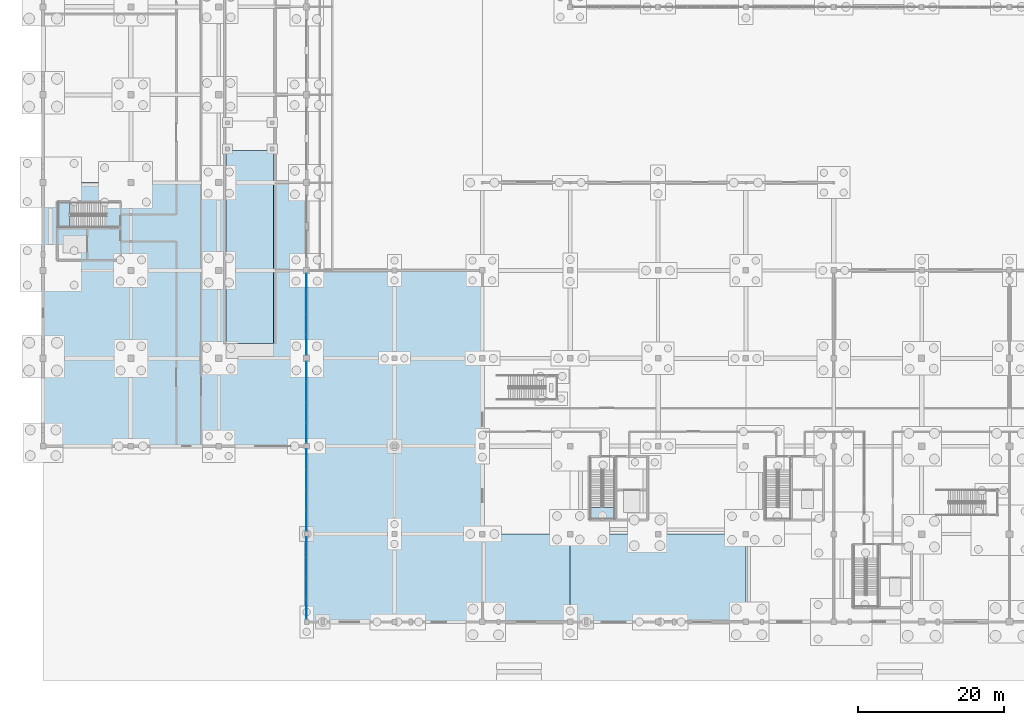
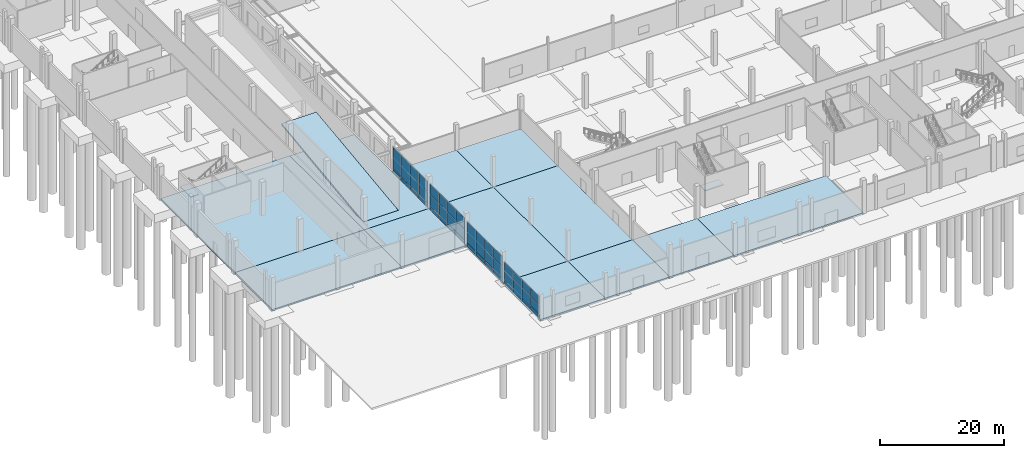
# One storey, part 62 of 117: 48 plates, 15 slabs, 7 elements without a shape of their own.
"""IFC4 building model written with IfcOpenShell, lengths in metres."""

from ifc_helpers import new_model, si_unit, direction, frame, origin, origin_2d, place, context, subcontext, project, spatial, polyline, rectangle, outline, extrude, material, layer, layer_set, type_object, element, aggregate, save


model = new_model("IFC4")

# Units and contexts
model_context = context("Model", 3, precision=1e-05, world=origin(), true_north=direction((0.0, 1.0)))
body_context = subcontext(model_context, "Body", "Model", "MODEL_VIEW")
ifc_project = project(units=[si_unit("LENGTHUNIT", "METRE"), si_unit("AREAUNIT", "SQUARE_METRE"), si_unit("VOLUMEUNIT", "CUBIC_METRE"), si_unit("PLANEANGLEUNIT", "RADIAN"), si_unit("MASSUNIT", "GRAM", prefix="KILO")], contexts=[model_context])

# Site, building, storey
site_placement = place(None, origin())
site = spatial("IfcSite", under=ifc_project, at=site_placement, CompositionType="ELEMENT")
building_placement = place(site_placement, origin())
building = spatial("IfcBuilding", under=site, at=building_placement, Name="Kamomehara Wholesale Market", CompositionType="ELEMENT")
storey_placement = place(building_placement, origin())
storey = spatial("IfcBuildingStorey", under=building, at=storey_placement, Name="L00", CompositionType="ELEMENT", Elevation=0.0)

# Curtain wall, plates
ifc_material_1 = material(Name="Anodised aluminium 6063-T5", Category="aluminium")
curtain_wall_type = type_object("IfcCurtainWallType", Name="CW-UN-04", PredefinedType="NOTDEFINED", material=ifc_material_1)
curtain_wall_1_placement = place(storey_placement, origin())
curtain_wall_1 = element("IfcCurtainWall", 1, at=curtain_wall_1_placement, inside=storey, type_object=curtain_wall_type, Name="Unitised curtain wall CW-117", PredefinedType="NOTDEFINED")
ifc_material_2 = material(Name="Solar-control Low-E double glazing", Category="glass")
ifc_layer_1 = layer(ifc_material_2, 0.028076171875)
ifc_layer_set_1 = layer_set([ifc_layer_1], Name="Solar-control Low-E double glazing")
plate_type_1 = type_object("IfcPlateType", Name="CW-PNL-GLZ", PredefinedType="CURTAIN_PANEL", material=ifc_layer_set_1)
plate_1_placement = place(storey_placement, frame((35.97998046875, 13.800048828125, 0.830078125), z_axis=(0.0, 0.0, 1.0), x_axis=(0.0, 1.0, 0.0)))
plate_1 = element("IfcPlate", 2, at=plate_1_placement, type_object=plate_type_1, Name="Curtain panel CW-117.0.1", PredefinedType="CURTAIN_PANEL", context=body_context, shape_type="SweptSolid", body=[
    extrude(rectangle(XDim=2.719970703125, YDim=0.028076171875, at=origin_2d()), origin(), (0.0, 0.0, 1.0), 1.7080078125),
])
plate_2_placement = place(storey_placement, frame((35.97998046875, 13.800048828125, 2.597900390625), z_axis=(0.0, 0.0, 1.0), x_axis=(0.0, 1.0, 0.0)))
plate_2 = element("IfcPlate", 3, at=plate_2_placement, type_object=plate_type_1, Name="Curtain panel CW-117.0.2", PredefinedType="CURTAIN_PANEL", context=body_context, shape_type="SweptSolid", body=[
    extrude(rectangle(XDim=2.719970703125, YDim=0.028076171875, at=origin_2d()), origin(), (0.0, 0.0, 1.0), 1.66796875),
])
plate_3_placement = place(storey_placement, frame((35.97998046875, 16.60009765625, 0.830078125), z_axis=(0.0, 0.0, 1.0), x_axis=(0.0, 1.0, 0.0)))
plate_3 = element("IfcPlate", 4, at=plate_3_placement, type_object=plate_type_1, Name="Curtain panel CW-117.1.1", PredefinedType="CURTAIN_PANEL", context=body_context, shape_type="SweptSolid", body=[
    extrude(rectangle(XDim=2.719970703125, YDim=0.028076171875, at=origin_2d()), origin(), (0.0, 0.0, 1.0), 1.7080078125),
])
plate_4_placement = place(storey_placement, frame((35.97998046875, 16.60009765625, 2.597900390625), z_axis=(0.0, 0.0, 1.0), x_axis=(0.0, 1.0, 0.0)))
plate_4 = element("IfcPlate", 5, at=plate_4_placement, type_object=plate_type_1, Name="Curtain panel CW-117.1.2", PredefinedType="CURTAIN_PANEL", context=body_context, shape_type="SweptSolid", body=[
    extrude(rectangle(XDim=2.719970703125, YDim=0.028076171875, at=origin_2d()), origin(), (0.0, 0.0, 1.0), 1.66796875),
])
plate_5_placement = place(storey_placement, frame((35.97998046875, 19.39990234375, 0.830078125), z_axis=(0.0, 0.0, 1.0), x_axis=(0.0, 1.0, 0.0)))
plate_5 = element("IfcPlate", 6, at=plate_5_placement, type_object=plate_type_1, Name="Curtain panel CW-117.2.1", PredefinedType="CURTAIN_PANEL", context=body_context, shape_type="SweptSolid", body=[
    extrude(rectangle(XDim=2.719970703125, YDim=0.028076171875, at=origin_2d()), origin(), (0.0, 0.0, 1.0), 1.7080078125),
])
plate_6_placement = place(storey_placement, frame((35.97998046875, 19.39990234375, 2.597900390625), z_axis=(0.0, 0.0, 1.0), x_axis=(0.0, 1.0, 0.0)))
plate_6 = element("IfcPlate", 7, at=plate_6_placement, type_object=plate_type_1, Name="Curtain panel CW-117.2.2", PredefinedType="CURTAIN_PANEL", context=body_context, shape_type="SweptSolid", body=[
    extrude(rectangle(XDim=2.719970703125, YDim=0.028076171875, at=origin_2d()), origin(), (0.0, 0.0, 1.0), 1.66796875),
])
plate_7_placement = place(storey_placement, frame((35.97998046875, 22.199951171875, 0.830078125), z_axis=(0.0, 0.0, 1.0), x_axis=(0.0, 1.0, 0.0)))
plate_7 = element("IfcPlate", 8, at=plate_7_placement, type_object=plate_type_1, Name="Curtain panel CW-117.3.1", PredefinedType="CURTAIN_PANEL", context=body_context, shape_type="SweptSolid", body=[
    extrude(rectangle(XDim=2.719970703125, YDim=0.028076171875, at=origin_2d()), origin(), (0.0, 0.0, 1.0), 1.7080078125),
])
plate_8_placement = place(storey_placement, frame((35.97998046875, 22.199951171875, 2.597900390625), z_axis=(0.0, 0.0, 1.0), x_axis=(0.0, 1.0, 0.0)))
plate_8 = element("IfcPlate", 9, at=plate_8_placement, type_object=plate_type_1, Name="Curtain panel CW-117.3.2", PredefinedType="CURTAIN_PANEL", context=body_context, shape_type="SweptSolid", body=[
    extrude(rectangle(XDim=2.719970703125, YDim=0.028076171875, at=origin_2d()), origin(), (0.0, 0.0, 1.0), 1.66796875),
])

curtain_wall_2_placement = place(storey_placement, origin())
curtain_wall_2 = element("IfcCurtainWall", 10, at=curtain_wall_2_placement, inside=storey, type_object=curtain_wall_type, Name="Unitised curtain wall CW-118", PredefinedType="NOTDEFINED")
plate_9_placement = place(storey_placement, frame((35.97998046875, 25.800048828125, 0.82958984375), z_axis=(0.0, 0.0, 1.0), x_axis=(0.0, 1.0, 0.0)))
plate_9 = element("IfcPlate", 11, at=plate_9_placement, type_object=plate_type_1, Name="Curtain panel CW-118.0.1", PredefinedType="CURTAIN_PANEL", context=body_context, shape_type="SweptSolid", body=[
    extrude(rectangle(XDim=2.719970703125, YDim=0.028076171875, at=origin_2d()), origin(), (0.0, 0.0, 1.0), 2.054931640625),
])
plate_10_placement = place(storey_placement, frame((35.97998046875, 25.800048828125, 2.9453125), z_axis=(0.0, 0.0, 1.0), x_axis=(0.0, 1.0, 0.0)))
plate_10 = element("IfcPlate", 12, at=plate_10_placement, type_object=plate_type_1, Name="Curtain panel CW-118.0.2", PredefinedType="CURTAIN_PANEL", context=body_context, shape_type="SweptSolid", body=[
    extrude(rectangle(XDim=2.719970703125, YDim=0.028076171875, at=origin_2d()), origin(), (0.0, 0.0, 1.0), 2.014892578125),
])
plate_11_placement = place(storey_placement, frame((35.97998046875, 28.60009765625, 0.82958984375), z_axis=(0.0, 0.0, 1.0), x_axis=(0.0, 1.0, 0.0)))
plate_11 = element("IfcPlate", 13, at=plate_11_placement, type_object=plate_type_1, Name="Curtain panel CW-118.1.1", PredefinedType="CURTAIN_PANEL", context=body_context, shape_type="SweptSolid", body=[
    extrude(rectangle(XDim=2.719970703125, YDim=0.028076171875, at=origin_2d()), origin(), (0.0, 0.0, 1.0), 2.054931640625),
])
plate_12_placement = place(storey_placement, frame((35.97998046875, 28.60009765625, 2.9453125), z_axis=(0.0, 0.0, 1.0), x_axis=(0.0, 1.0, 0.0)))
plate_12 = element("IfcPlate", 14, at=plate_12_placement, type_object=plate_type_1, Name="Curtain panel CW-118.1.2", PredefinedType="CURTAIN_PANEL", context=body_context, shape_type="SweptSolid", body=[
    extrude(rectangle(XDim=2.719970703125, YDim=0.028076171875, at=origin_2d()), origin(), (0.0, 0.0, 1.0), 2.014892578125),
])
plate_13_placement = place(storey_placement, frame((35.97998046875, 31.39990234375, 0.82958984375), z_axis=(0.0, 0.0, 1.0), x_axis=(0.0, 1.0, 0.0)))
plate_13 = element("IfcPlate", 15, at=plate_13_placement, type_object=plate_type_1, Name="Curtain panel CW-118.2.1", PredefinedType="CURTAIN_PANEL", context=body_context, shape_type="SweptSolid", body=[
    extrude(rectangle(XDim=2.719970703125, YDim=0.028076171875, at=origin_2d()), origin(), (0.0, 0.0, 1.0), 2.054931640625),
])
plate_14_placement = place(storey_placement, frame((35.97998046875, 31.39990234375, 2.9453125), z_axis=(0.0, 0.0, 1.0), x_axis=(0.0, 1.0, 0.0)))
plate_14 = element("IfcPlate", 16, at=plate_14_placement, type_object=plate_type_1, Name="Curtain panel CW-118.2.2", PredefinedType="CURTAIN_PANEL", context=body_context, shape_type="SweptSolid", body=[
    extrude(rectangle(XDim=2.719970703125, YDim=0.028076171875, at=origin_2d()), origin(), (0.0, 0.0, 1.0), 2.014892578125),
])
plate_15_placement = place(storey_placement, frame((35.97998046875, 34.199951171875, 0.82958984375), z_axis=(0.0, 0.0, 1.0), x_axis=(0.0, 1.0, 0.0)))
plate_15 = element("IfcPlate", 17, at=plate_15_placement, type_object=plate_type_1, Name="Curtain panel CW-118.3.1", PredefinedType="CURTAIN_PANEL", context=body_context, shape_type="SweptSolid", body=[
    extrude(rectangle(XDim=2.719970703125, YDim=0.028076171875, at=origin_2d()), origin(), (0.0, 0.0, 1.0), 2.054931640625),
])
plate_16_placement = place(storey_placement, frame((35.97998046875, 34.199951171875, 2.9453125), z_axis=(0.0, 0.0, 1.0), x_axis=(0.0, 1.0, 0.0)))
plate_16 = element("IfcPlate", 18, at=plate_16_placement, type_object=plate_type_1, Name="Curtain panel CW-118.3.2", PredefinedType="CURTAIN_PANEL", context=body_context, shape_type="SweptSolid", body=[
    extrude(rectangle(XDim=2.719970703125, YDim=0.028076171875, at=origin_2d()), origin(), (0.0, 0.0, 1.0), 2.014892578125),
])

curtain_wall_3_placement = place(storey_placement, origin())
curtain_wall_3 = element("IfcCurtainWall", 19, at=curtain_wall_3_placement, inside=storey, type_object=curtain_wall_type, Name="Unitised curtain wall CW-119", PredefinedType="NOTDEFINED")
plate_17_placement = place(storey_placement, frame((35.97998046875, 37.7958984375, 0.830078125), z_axis=(0.0, 0.0, 1.0), x_axis=(0.0, 1.0, 0.0)))
plate_17 = element("IfcPlate", 20, at=plate_17_placement, type_object=plate_type_1, Name="Curtain panel CW-119.0.1", PredefinedType="CURTAIN_PANEL", context=body_context, shape_type="SweptSolid", body=[
    extrude(rectangle(XDim=2.7109375, YDim=0.028076171875, at=origin_2d()), origin(), (0.0, 0.0, 1.0), 2.139892578125),
])
plate_18_placement = place(storey_placement, frame((35.97998046875, 37.7958984375, 3.030029296875), z_axis=(0.0, 0.0, 1.0), x_axis=(0.0, 1.0, 0.0)))
plate_18 = element("IfcPlate", 21, at=plate_18_placement, type_object=plate_type_1, Name="Curtain panel CW-119.0.2", PredefinedType="CURTAIN_PANEL", context=body_context, shape_type="SweptSolid", body=[
    extrude(rectangle(XDim=2.7109375, YDim=0.028076171875, at=origin_2d()), origin(), (0.0, 0.0, 1.0), 2.10009765625),
])
plate_19_placement = place(storey_placement, frame((35.97998046875, 40.5869140625, 0.830078125), z_axis=(0.0, 0.0, 1.0), x_axis=(0.0, 1.0, 0.0)))
plate_19 = element("IfcPlate", 22, at=plate_19_placement, type_object=plate_type_1, Name="Curtain panel CW-119.1.1", PredefinedType="CURTAIN_PANEL", context=body_context, shape_type="SweptSolid", body=[
    extrude(rectangle(XDim=2.7109375, YDim=0.028076171875, at=origin_2d()), origin(), (0.0, 0.0, 1.0), 2.139892578125),
])
plate_20_placement = place(storey_placement, frame((35.97998046875, 40.5869140625, 3.030029296875), z_axis=(0.0, 0.0, 1.0), x_axis=(0.0, 1.0, 0.0)))
plate_20 = element("IfcPlate", 23, at=plate_20_placement, type_object=plate_type_1, Name="Curtain panel CW-119.1.2", PredefinedType="CURTAIN_PANEL", context=body_context, shape_type="SweptSolid", body=[
    extrude(rectangle(XDim=2.7109375, YDim=0.028076171875, at=origin_2d()), origin(), (0.0, 0.0, 1.0), 2.10009765625),
])
plate_21_placement = place(storey_placement, frame((35.97998046875, 43.3779296875, 0.830078125), z_axis=(0.0, 0.0, 1.0), x_axis=(0.0, 1.0, 0.0)))
plate_21 = element("IfcPlate", 24, at=plate_21_placement, type_object=plate_type_1, Name="Curtain panel CW-119.2.1", PredefinedType="CURTAIN_PANEL", context=body_context, shape_type="SweptSolid", body=[
    extrude(rectangle(XDim=2.7109375, YDim=0.028076171875, at=origin_2d()), origin(), (0.0, 0.0, 1.0), 2.139892578125),
])
plate_22_placement = place(storey_placement, frame((35.97998046875, 43.3779296875, 3.030029296875), z_axis=(0.0, 0.0, 1.0), x_axis=(0.0, 1.0, 0.0)))
plate_22 = element("IfcPlate", 25, at=plate_22_placement, type_object=plate_type_1, Name="Curtain panel CW-119.2.2", PredefinedType="CURTAIN_PANEL", context=body_context, shape_type="SweptSolid", body=[
    extrude(rectangle(XDim=2.7109375, YDim=0.028076171875, at=origin_2d()), origin(), (0.0, 0.0, 1.0), 2.10009765625),
])
plate_23_placement = place(storey_placement, frame((35.97998046875, 46.1689453125, 0.830078125), z_axis=(0.0, 0.0, 1.0), x_axis=(0.0, 1.0, 0.0)))
plate_23 = element("IfcPlate", 26, at=plate_23_placement, type_object=plate_type_1, Name="Curtain panel CW-119.3.1", PredefinedType="CURTAIN_PANEL", context=body_context, shape_type="SweptSolid", body=[
    extrude(rectangle(XDim=2.7109375, YDim=0.028076171875, at=origin_2d()), origin(), (0.0, 0.0, 1.0), 2.139892578125),
])
plate_24_placement = place(storey_placement, frame((35.97998046875, 46.1689453125, 3.030029296875), z_axis=(0.0, 0.0, 1.0), x_axis=(0.0, 1.0, 0.0)))
plate_24 = element("IfcPlate", 27, at=plate_24_placement, type_object=plate_type_1, Name="Curtain panel CW-119.3.2", PredefinedType="CURTAIN_PANEL", context=body_context, shape_type="SweptSolid", body=[
    extrude(rectangle(XDim=2.7109375, YDim=0.028076171875, at=origin_2d()), origin(), (0.0, 0.0, 1.0), 2.10009765625),
])

curtain_wall_4_placement = place(storey_placement, origin())
curtain_wall_4 = element("IfcCurtainWall", 28, at=curtain_wall_4_placement, inside=storey, type_object=curtain_wall_type, Name="Unitised curtain wall CW-120", PredefinedType="NOTDEFINED")
plate_25_placement = place(storey_placement, frame((35.97998046875, 49.825927734375, 0.830078125), z_axis=(0.0, 0.0, 1.0), x_axis=(0.0, 1.0, 0.0)))
plate_25 = element("IfcPlate", 29, at=plate_25_placement, type_object=plate_type_1, Name="Curtain panel CW-120.0.1", PredefinedType="CURTAIN_PANEL", context=body_context, shape_type="SweptSolid", body=[
    extrude(rectangle(XDim=2.701904296875, YDim=0.028076171875, at=origin_2d()), origin(), (0.0, 0.0, 1.0), 2.139892578125),
])
plate_26_placement = place(storey_placement, frame((35.97998046875, 49.825927734375, 3.030029296875), z_axis=(0.0, 0.0, 1.0), x_axis=(0.0, 1.0, 0.0)))
plate_26 = element("IfcPlate", 30, at=plate_26_placement, type_object=plate_type_1, Name="Curtain panel CW-120.0.2", PredefinedType="CURTAIN_PANEL", context=body_context, shape_type="SweptSolid", body=[
    extrude(rectangle(XDim=2.701904296875, YDim=0.028076171875, at=origin_2d()), origin(), (0.0, 0.0, 1.0), 2.10009765625),
])
plate_27_placement = place(storey_placement, frame((35.97998046875, 52.60888671875, 0.830078125), z_axis=(0.0, 0.0, 1.0), x_axis=(0.0, 1.0, 0.0)))
plate_27 = element("IfcPlate", 31, at=plate_27_placement, type_object=plate_type_1, Name="Curtain panel CW-120.1.1", PredefinedType="CURTAIN_PANEL", context=body_context, shape_type="SweptSolid", body=[
    extrude(rectangle(XDim=2.701904296875, YDim=0.028076171875, at=origin_2d()), origin(), (0.0, 0.0, 1.0), 2.139892578125),
])
plate_28_placement = place(storey_placement, frame((35.97998046875, 52.60888671875, 3.030029296875), z_axis=(0.0, 0.0, 1.0), x_axis=(0.0, 1.0, 0.0)))
plate_28 = element("IfcPlate", 32, at=plate_28_placement, type_object=plate_type_1, Name="Curtain panel CW-120.1.2", PredefinedType="CURTAIN_PANEL", context=body_context, shape_type="SweptSolid", body=[
    extrude(rectangle(XDim=2.701904296875, YDim=0.028076171875, at=origin_2d()), origin(), (0.0, 0.0, 1.0), 2.10009765625),
])
plate_29_placement = place(storey_placement, frame((35.97998046875, 55.39111328125, 0.830078125), z_axis=(0.0, 0.0, 1.0), x_axis=(0.0, 1.0, 0.0)))
plate_29 = element("IfcPlate", 33, at=plate_29_placement, type_object=plate_type_1, Name="Curtain panel CW-120.2.1", PredefinedType="CURTAIN_PANEL", context=body_context, shape_type="SweptSolid", body=[
    extrude(rectangle(XDim=2.701904296875, YDim=0.028076171875, at=origin_2d()), origin(), (0.0, 0.0, 1.0), 2.139892578125),
])
plate_30_placement = place(storey_placement, frame((35.97998046875, 55.39111328125, 3.030029296875), z_axis=(0.0, 0.0, 1.0), x_axis=(0.0, 1.0, 0.0)))
plate_30 = element("IfcPlate", 34, at=plate_30_placement, type_object=plate_type_1, Name="Curtain panel CW-120.2.2", PredefinedType="CURTAIN_PANEL", context=body_context, shape_type="SweptSolid", body=[
    extrude(rectangle(XDim=2.701904296875, YDim=0.028076171875, at=origin_2d()), origin(), (0.0, 0.0, 1.0), 2.10009765625),
])
plate_31_placement = place(storey_placement, frame((35.97998046875, 58.174072265625, 0.830078125), z_axis=(0.0, 0.0, 1.0), x_axis=(0.0, 1.0, 0.0)))
plate_31 = element("IfcPlate", 35, at=plate_31_placement, type_object=plate_type_1, Name="Curtain panel CW-120.3.1", PredefinedType="CURTAIN_PANEL", context=body_context, shape_type="SweptSolid", body=[
    extrude(rectangle(XDim=2.701904296875, YDim=0.028076171875, at=origin_2d()), origin(), (0.0, 0.0, 1.0), 2.139892578125),
])
plate_32_placement = place(storey_placement, frame((35.97998046875, 58.174072265625, 3.030029296875), z_axis=(0.0, 0.0, 1.0), x_axis=(0.0, 1.0, 0.0)))
plate_32 = element("IfcPlate", 36, at=plate_32_placement, type_object=plate_type_1, Name="Curtain panel CW-120.3.2", PredefinedType="CURTAIN_PANEL", context=body_context, shape_type="SweptSolid", body=[
    extrude(rectangle(XDim=2.701904296875, YDim=0.028076171875, at=origin_2d()), origin(), (0.0, 0.0, 1.0), 2.10009765625),
])

# Plate
ifc_material_3 = material(Name="Insulated aluminium spandrel panel", Category="aluminium")
ifc_layer_2 = layer(ifc_material_3, 0.0400390625)
ifc_layer_set_2 = layer_set([ifc_layer_2], Name="Insulated aluminium spandrel panel")
plate_type_2 = type_object("IfcPlateType", Name="CW-PNL-SPN", PredefinedType="CURTAIN_PANEL", material=ifc_layer_set_2)
plate_33_placement = place(storey_placement, frame((35.97998046875, 13.800048828125, 0.06982421875), z_axis=(0.0, 0.0, 1.0), x_axis=(0.0, 1.0, 0.0)))
plate_33 = element("IfcPlate", 37, at=plate_33_placement, type_object=plate_type_2, Name="Curtain panel CW-117.0.0", PredefinedType="CURTAIN_PANEL", context=body_context, shape_type="SweptSolid", body=[
    extrude(rectangle(XDim=2.719970703125, YDim=0.0400390625, at=origin_2d()), origin(), (0.0, 0.0, 1.0), 0.699951171875),
])

plate_34_placement = place(storey_placement, frame((35.97998046875, 16.60009765625, 0.06982421875), z_axis=(0.0, 0.0, 1.0), x_axis=(0.0, 1.0, 0.0)))
plate_34 = element("IfcPlate", 38, at=plate_34_placement, type_object=plate_type_2, Name="Curtain panel CW-117.1.0", PredefinedType="CURTAIN_PANEL", context=body_context, shape_type="SweptSolid", body=[
    extrude(rectangle(XDim=2.719970703125, YDim=0.0400390625, at=origin_2d()), origin(), (0.0, 0.0, 1.0), 0.699951171875),
])

plate_35_placement = place(storey_placement, frame((35.97998046875, 19.39990234375, 0.06982421875), z_axis=(0.0, 0.0, 1.0), x_axis=(0.0, 1.0, 0.0)))
plate_35 = element("IfcPlate", 39, at=plate_35_placement, type_object=plate_type_2, Name="Curtain panel CW-117.2.0", PredefinedType="CURTAIN_PANEL", context=body_context, shape_type="SweptSolid", body=[
    extrude(rectangle(XDim=2.719970703125, YDim=0.0400390625, at=origin_2d()), origin(), (0.0, 0.0, 1.0), 0.699951171875),
])

plate_36_placement = place(storey_placement, frame((35.97998046875, 22.199951171875, 0.06982421875), z_axis=(0.0, 0.0, 1.0), x_axis=(0.0, 1.0, 0.0)))
plate_36 = element("IfcPlate", 40, at=plate_36_placement, type_object=plate_type_2, Name="Curtain panel CW-117.3.0", PredefinedType="CURTAIN_PANEL", context=body_context, shape_type="SweptSolid", body=[
    extrude(rectangle(XDim=2.719970703125, YDim=0.0400390625, at=origin_2d()), origin(), (0.0, 0.0, 1.0), 0.699951171875),
])

aggregate(curtain_wall_1, [plate_33, plate_1, plate_2, plate_34, plate_3, plate_4, plate_35, plate_5, plate_6, plate_36, plate_7, plate_8])

plate_37_placement = place(storey_placement, frame((35.97998046875, 25.800048828125, 0.06982421875), z_axis=(0.0, 0.0, 1.0), x_axis=(0.0, 1.0, 0.0)))
plate_37 = element("IfcPlate", 41, at=plate_37_placement, type_object=plate_type_2, Name="Curtain panel CW-118.0.0", PredefinedType="CURTAIN_PANEL", context=body_context, shape_type="SweptSolid", body=[
    extrude(rectangle(XDim=2.719970703125, YDim=0.0400390625, at=origin_2d()), origin(), (0.0, 0.0, 1.0), 0.699951171875),
])

plate_38_placement = place(storey_placement, frame((35.97998046875, 28.60009765625, 0.06982421875), z_axis=(0.0, 0.0, 1.0), x_axis=(0.0, 1.0, 0.0)))
plate_38 = element("IfcPlate", 42, at=plate_38_placement, type_object=plate_type_2, Name="Curtain panel CW-118.1.0", PredefinedType="CURTAIN_PANEL", context=body_context, shape_type="SweptSolid", body=[
    extrude(rectangle(XDim=2.719970703125, YDim=0.0400390625, at=origin_2d()), origin(), (0.0, 0.0, 1.0), 0.699951171875),
])

plate_39_placement = place(storey_placement, frame((35.97998046875, 31.39990234375, 0.06982421875), z_axis=(0.0, 0.0, 1.0), x_axis=(0.0, 1.0, 0.0)))
plate_39 = element("IfcPlate", 43, at=plate_39_placement, type_object=plate_type_2, Name="Curtain panel CW-118.2.0", PredefinedType="CURTAIN_PANEL", context=body_context, shape_type="SweptSolid", body=[
    extrude(rectangle(XDim=2.719970703125, YDim=0.0400390625, at=origin_2d()), origin(), (0.0, 0.0, 1.0), 0.699951171875),
])

plate_40_placement = place(storey_placement, frame((35.97998046875, 34.199951171875, 0.06982421875), z_axis=(0.0, 0.0, 1.0), x_axis=(0.0, 1.0, 0.0)))
plate_40 = element("IfcPlate", 44, at=plate_40_placement, type_object=plate_type_2, Name="Curtain panel CW-118.3.0", PredefinedType="CURTAIN_PANEL", context=body_context, shape_type="SweptSolid", body=[
    extrude(rectangle(XDim=2.719970703125, YDim=0.0400390625, at=origin_2d()), origin(), (0.0, 0.0, 1.0), 0.699951171875),
])

aggregate(curtain_wall_2, [plate_37, plate_9, plate_10, plate_38, plate_11, plate_12, plate_39, plate_13, plate_14, plate_40, plate_15, plate_16])

plate_41_placement = place(storey_placement, frame((35.97998046875, 37.7958984375, 0.06982421875), z_axis=(0.0, 0.0, 1.0), x_axis=(0.0, 1.0, 0.0)))
plate_41 = element("IfcPlate", 45, at=plate_41_placement, type_object=plate_type_2, Name="Curtain panel CW-119.0.0", PredefinedType="CURTAIN_PANEL", context=body_context, shape_type="SweptSolid", body=[
    extrude(rectangle(XDim=2.7109375, YDim=0.0400390625, at=origin_2d()), origin(), (0.0, 0.0, 1.0), 0.699951171875),
])

plate_42_placement = place(storey_placement, frame((35.97998046875, 40.5869140625, 0.06982421875), z_axis=(0.0, 0.0, 1.0), x_axis=(0.0, 1.0, 0.0)))
plate_42 = element("IfcPlate", 46, at=plate_42_placement, type_object=plate_type_2, Name="Curtain panel CW-119.1.0", PredefinedType="CURTAIN_PANEL", context=body_context, shape_type="SweptSolid", body=[
    extrude(rectangle(XDim=2.7109375, YDim=0.0400390625, at=origin_2d()), origin(), (0.0, 0.0, 1.0), 0.699951171875),
])

plate_43_placement = place(storey_placement, frame((35.97998046875, 43.3779296875, 0.06982421875), z_axis=(0.0, 0.0, 1.0), x_axis=(0.0, 1.0, 0.0)))
plate_43 = element("IfcPlate", 47, at=plate_43_placement, type_object=plate_type_2, Name="Curtain panel CW-119.2.0", PredefinedType="CURTAIN_PANEL", context=body_context, shape_type="SweptSolid", body=[
    extrude(rectangle(XDim=2.7109375, YDim=0.0400390625, at=origin_2d()), origin(), (0.0, 0.0, 1.0), 0.699951171875),
])

plate_44_placement = place(storey_placement, frame((35.97998046875, 46.1689453125, 0.06982421875), z_axis=(0.0, 0.0, 1.0), x_axis=(0.0, 1.0, 0.0)))
plate_44 = element("IfcPlate", 48, at=plate_44_placement, type_object=plate_type_2, Name="Curtain panel CW-119.3.0", PredefinedType="CURTAIN_PANEL", context=body_context, shape_type="SweptSolid", body=[
    extrude(rectangle(XDim=2.7109375, YDim=0.0400390625, at=origin_2d()), origin(), (0.0, 0.0, 1.0), 0.699951171875),
])

aggregate(curtain_wall_3, [plate_41, plate_17, plate_18, plate_42, plate_19, plate_20, plate_43, plate_21, plate_22, plate_44, plate_23, plate_24])

plate_45_placement = place(storey_placement, frame((35.97998046875, 49.825927734375, 0.06982421875), z_axis=(0.0, 0.0, 1.0), x_axis=(0.0, 1.0, 0.0)))
plate_45 = element("IfcPlate", 49, at=plate_45_placement, type_object=plate_type_2, Name="Curtain panel CW-120.0.0", PredefinedType="CURTAIN_PANEL", context=body_context, shape_type="SweptSolid", body=[
    extrude(rectangle(XDim=2.701904296875, YDim=0.0400390625, at=origin_2d()), origin(), (0.0, 0.0, 1.0), 0.699951171875),
])

plate_46_placement = place(storey_placement, frame((35.97998046875, 52.60888671875, 0.06982421875), z_axis=(0.0, 0.0, 1.0), x_axis=(0.0, 1.0, 0.0)))
plate_46 = element("IfcPlate", 50, at=plate_46_placement, type_object=plate_type_2, Name="Curtain panel CW-120.1.0", PredefinedType="CURTAIN_PANEL", context=body_context, shape_type="SweptSolid", body=[
    extrude(rectangle(XDim=2.701904296875, YDim=0.0400390625, at=origin_2d()), origin(), (0.0, 0.0, 1.0), 0.699951171875),
])

plate_47_placement = place(storey_placement, frame((35.97998046875, 55.39111328125, 0.06982421875), z_axis=(0.0, 0.0, 1.0), x_axis=(0.0, 1.0, 0.0)))
plate_47 = element("IfcPlate", 51, at=plate_47_placement, type_object=plate_type_2, Name="Curtain panel CW-120.2.0", PredefinedType="CURTAIN_PANEL", context=body_context, shape_type="SweptSolid", body=[
    extrude(rectangle(XDim=2.701904296875, YDim=0.0400390625, at=origin_2d()), origin(), (0.0, 0.0, 1.0), 0.699951171875),
])

plate_48_placement = place(storey_placement, frame((35.97998046875, 58.174072265625, 0.06982421875), z_axis=(0.0, 0.0, 1.0), x_axis=(0.0, 1.0, 0.0)))
plate_48 = element("IfcPlate", 52, at=plate_48_placement, type_object=plate_type_2, Name="Curtain panel CW-120.3.0", PredefinedType="CURTAIN_PANEL", context=body_context, shape_type="SweptSolid", body=[
    extrude(rectangle(XDim=2.701904296875, YDim=0.0400390625, at=origin_2d()), origin(), (0.0, 0.0, 1.0), 0.699951171875),
])

aggregate(curtain_wall_4, [plate_45, plate_25, plate_26, plate_46, plate_27, plate_28, plate_47, plate_29, plate_30, plate_48, plate_31, plate_32])

# Slabs
ifc_material_4 = material(Name="Concrete Fc30 (C30/37)", Category="concrete")
ifc_layer_3 = layer(ifc_material_4, 0.31201171875)
ifc_layer_set_3 = layer_set([ifc_layer_3], Name="Concrete Fc30 (C30/37)")
slab_type_1 = type_object("IfcSlabType", Name="SLB-BASE-300", PredefinedType="BASESLAB", material=ifc_layer_set_3)
slab_1_placement = place(storey_placement, frame((0.0, 0.0, -0.31201171875)))
element("IfcSlab", 53, at=slab_1_placement, inside=storey, type_object=slab_type_1, Name="Floor slab V3 L00 20", PredefinedType="BASESLAB", context=body_context, shape_type="SweptSolid", body=[
    extrude(outline(polyline([(24.0, 72.0), (24.0, 48.0), (0.0, 48.0), (0.0, 72.0), (24.0, 72.0)])), origin(), (0.0, 0.0, 1.0), 0.31201171875),
])
slab_2_placement = place(storey_placement, frame((0.0, 0.0, -0.31201171875)))
element("IfcSlab", 54, at=slab_2_placement, inside=storey, type_object=slab_type_1, Name="Floor slab V4 L00 35", PredefinedType="BASESLAB", context=body_context, shape_type="SweptSolid", body=[
    extrude(outline(polyline([(48.0, 48.0), (36.0, 48.0), (36.0, 60.0), (48.0, 60.0), (48.0, 48.0)])), origin(), (0.0, 0.0, 1.0), 0.31201171875),
])
ifc_material_5 = material(Name="Concrete Fc30 (C30/37)", Category="concrete")
ifc_layer_4 = layer(ifc_material_5, 0.324951171875)
ifc_layer_set_4 = layer_set([ifc_layer_4], Name="Concrete Fc30 (C30/37)")
slab_type_2 = type_object("IfcSlabType", Name="SLB-BASE-325", PredefinedType="BASESLAB", material=ifc_layer_set_4)
slab_3_placement = place(storey_placement, frame((0.0, 0.0, -0.324951171875)))
element("IfcSlab", 55, at=slab_3_placement, inside=storey, type_object=slab_type_2, Name="Floor slab V3 L00 19", PredefinedType="BASESLAB", context=body_context, shape_type="SweptSolid", body=[
    extrude(outline(polyline([(24.0, 48.0), (24.0, 36.0), (0.0, 36.0), (0.0, 48.0), (24.0, 48.0)])), origin(), (0.0, 0.0, 1.0), 0.324951171875),
])
slab_4_placement = place(storey_placement, frame((0.0, 0.0, -0.324951171875)))
element("IfcSlab", 56, at=slab_4_placement, inside=storey, type_object=slab_type_2, Name="Floor slab V3 L00 24", PredefinedType="BASESLAB", context=body_context, shape_type="SweptSolid", body=[
    extrude(outline(polyline([(36.0, 48.0), (24.0, 48.0), (24.0, 72.0), (36.0, 72.0), (36.0, 48.0)]), holes=[polyline([(31.5, 50.02001953125), (31.5, 52.60009765625), (25.0, 52.60009765625), (25.0, 50.02001953125), (31.5, 50.02001953125)])]), origin(), (0.0, 0.0, 1.0), 0.324951171875),
])
slab_5_placement = place(storey_placement, frame((0.0, 0.0, -0.324951171875)))
element("IfcSlab", 57, at=slab_5_placement, inside=storey, type_object=slab_type_2, Name="Floor slab V4 L00 34", PredefinedType="BASESLAB", context=body_context, shape_type="SweptSolid", body=[
    extrude(outline(polyline([(48.0, 48.0), (48.0, 24.0), (36.0, 24.0), (36.0, 48.0), (48.0, 48.0)])), origin(), (0.0, 0.0, 1.0), 0.324951171875),
])
slab_6_placement = place(storey_placement, frame((0.0, 0.0, -0.324951171875)))
element("IfcSlab", 58, at=slab_6_placement, inside=storey, type_object=slab_type_2, Name="Floor slab V4 L00 39", PredefinedType="BASESLAB", context=body_context, shape_type="SweptSolid", body=[
    extrude(outline(polyline([(72.0, 24.0), (72.0, 12.0), (60.0, 12.0), (60.0, 24.0), (72.0, 24.0)])), origin(), (0.0, 0.0, 1.0), 0.324951171875),
])
ifc_material_6 = material(Name="Concrete Fc30 (C30/37)", Category="concrete")
ifc_layer_5 = layer(ifc_material_6, 0.35009765625)
ifc_layer_set_5 = layer_set([ifc_layer_5], Name="Concrete Fc30 (C30/37)")
slab_type_3 = type_object("IfcSlabType", Name="SLB-BASE-350", PredefinedType="BASESLAB", material=ifc_layer_set_5)
slab_7_placement = place(storey_placement, frame((0.0, 0.0, -0.35009765625)))
element("IfcSlab", 59, at=slab_7_placement, inside=storey, type_object=slab_type_3, Name="Floor slab V4 L00 36", PredefinedType="BASESLAB", context=body_context, shape_type="SweptSolid", body=[
    extrude(outline(polyline([(60.0, 12.0), (48.0, 12.0), (48.0, 24.0), (60.0, 24.0), (60.0, 12.0)])), origin(), (0.0, 0.0, 1.0), 0.35009765625),
])
ifc_material_7 = material(Name="Concrete Fc30 (C30/37)", Category="concrete")
ifc_layer_6 = layer(ifc_material_7, 0.3798828125)
ifc_layer_set_6 = layer_set([ifc_layer_6], Name="Concrete Fc30 (C30/37)")
slab_type_4 = type_object("IfcSlabType", Name="SLB-BASE-380", PredefinedType="BASESLAB", material=ifc_layer_set_6)
slab_8_placement = place(storey_placement, frame((0.0, 0.0, -0.3798828125)))
element("IfcSlab", 60, at=slab_8_placement, inside=storey, type_object=slab_type_4, Name="Floor slab V4 L00 37", PredefinedType="BASESLAB", context=body_context, shape_type="SweptSolid", body=[
    extrude(outline(polyline([(60.0, 24.0), (48.0, 24.0), (48.0, 48.0), (60.0, 48.0), (60.0, 24.0)])), origin(), (0.0, 0.0, 1.0), 0.3798828125),
])
slab_9_placement = place(storey_placement, frame((0.0, 0.0, -0.3798828125)))
element("IfcSlab", 61, at=slab_9_placement, inside=storey, type_object=slab_type_4, Name="Floor slab V4 L00 42", PredefinedType="BASESLAB", context=body_context, shape_type="SweptSolid", body=[
    extrude(outline(polyline([(72.0, 24.0), (96.0, 24.0), (96.0, 12.0), (72.0, 12.0), (72.0, 24.0)])), origin(), (0.0, 0.0, 1.0), 0.3798828125),
])
ifc_material_8 = material(Name="Concrete Fc30 (C30/37)", Category="concrete")
ifc_layer_7 = layer(ifc_material_8, 0.39990234375)
ifc_layer_set_7 = layer_set([ifc_layer_7], Name="Concrete Fc30 (C30/37)")
slab_type_5 = type_object("IfcSlabType", Name="SLB-BASE-400", PredefinedType="BASESLAB", material=ifc_layer_set_7)
slab_10_placement = place(storey_placement, frame((0.0, 0.0, -0.39990234375)))
element("IfcSlab", 62, at=slab_10_placement, inside=storey, type_object=slab_type_5, Name="Floor slab V3 L00 23", PredefinedType="BASESLAB", context=body_context, shape_type="SweptSolid", body=[
    extrude(outline(polyline([(36.0, 36.0), (24.0, 36.0), (24.0, 48.0), (36.0, 48.0), (36.0, 36.0)])), origin(), (0.0, 0.0, 1.0), 0.39990234375),
])
slab_11_placement = place(storey_placement, frame((0.0, 0.0, -0.39990234375)))
element("IfcSlab", 63, at=slab_11_placement, inside=storey, type_object=slab_type_5, Name="Floor slab V4 L00 33", PredefinedType="BASESLAB", context=body_context, shape_type="SweptSolid", body=[
    extrude(outline(polyline([(48.0, 24.0), (48.0, 12.0), (36.0, 12.0), (36.0, 24.0), (48.0, 24.0)])), origin(), (0.0, 0.0, 1.0), 0.39990234375),
])
slab_12_placement = place(storey_placement, frame((0.0, 0.0, -0.39990234375)))
element("IfcSlab", 64, at=slab_12_placement, inside=storey, type_object=slab_type_5, Name="Floor slab V4 L00 38", PredefinedType="BASESLAB", context=body_context, shape_type="SweptSolid", body=[
    extrude(outline(polyline([(60.0, 48.0), (48.0, 48.0), (48.0, 60.0), (60.0, 60.0), (60.0, 48.0)])), origin(), (0.0, 0.0, 1.0), 0.39990234375),
])

# Stair, slab
ifc_material_9 = material(Name="Concrete Fc36 (C35/45)", Category="concrete")
stair_type = type_object("IfcStairType", Name="STR-DL-02", PredefinedType="HALF_TURN_STAIR", material=ifc_material_9)
stair_1_placement = place(storey_placement, origin())
stair_1 = element("IfcStair", 65, at=stair_1_placement, inside=storey, type_object=stair_type, Name="L00 Core exit stair ST-03", PredefinedType="HALF_TURN_STAIR")
ifc_material_10 = material(Name="Concrete Fc36 (C35/45)", Category="concrete")
ifc_layer_8 = layer(ifc_material_10, 0.199951171875)
ifc_layer_set_8 = layer_set([ifc_layer_8], Name="Concrete Fc36 (C35/45)")
slab_type_6 = type_object("IfcSlabType", Name="SLB-LND-200", PredefinedType="LANDING", material=ifc_layer_set_8)
slab_13_placement = place(storey_placement, frame((0.0, 0.0, 3.10009765625)))
slab_13 = element("IfcSlab", 66, at=slab_13_placement, type_object=slab_type_6, Name="ST-03 landing 1", PredefinedType="LANDING", context=body_context, shape_type="SweptSolid", body=[
    extrude(outline(polyline([(3.64990234375, 69.300048828125), (2.050048828125, 69.300048828125), (2.050048828125, 65.89990234375), (3.64990234375, 65.89990234375), (3.64990234375, 69.300048828125)])), origin(), (0.0, 0.0, 1.0), 0.199951171875),
])
aggregate(stair_1, [slab_13])

stair_2_placement = place(storey_placement, origin())
stair_2 = element("IfcStair", 67, at=stair_2_placement, inside=storey, type_object=stair_type, Name="L00 Core exit stair ST-05", PredefinedType="HALF_TURN_STAIR")
slab_14_placement = place(storey_placement, frame((0.0, 0.0, 3.10009765625)))
slab_14 = element("IfcSlab", 68, at=slab_14_placement, type_object=slab_type_6, Name="ST-05 landing 1", PredefinedType="LANDING", context=body_context, shape_type="SweptSolid", body=[
    extrude(outline(polyline([(74.699951171875, 27.64990234375), (74.699951171875, 26.050048828125), (78.10009765625, 26.050048828125), (78.10009765625, 27.64990234375), (74.699951171875, 27.64990234375)])), origin(), (0.0, 0.0, 1.0), 0.199951171875),
])
aggregate(stair_2, [slab_14])

# Ramp, slab
ifc_material_11 = material(Name="Concrete Fc36 (C35/45)", Category="concrete")
ramp_type = type_object("IfcRampType", Name="RMP-VEH-01", PredefinedType="STRAIGHT_RUN_RAMP", material=ifc_material_11)
ramp_placement = place(storey_placement, origin())
ramp = element("IfcRamp", 69, at=ramp_placement, inside=storey, type_object=ramp_type, Name="Covered truck service ramp VR-01", PredefinedType="STRAIGHT_RUN_RAMP")
ifc_material_12 = material(Name="Concrete Fc36 (C35/45)", Category="concrete")
ifc_layer_9 = layer(ifc_material_12, 0.300048828125)
ifc_layer_set_9 = layer_set([ifc_layer_9], Name="Concrete Fc36 (C35/45)")
slab_type_7 = type_object("IfcSlabType", Name="SLB-VRMP-300", PredefinedType="FLOOR", material=ifc_layer_set_9)
slab_15_placement = place(storey_placement, frame((25.0, 50.0, 0.0), z_axis=(0.0, -0.124036993388, 0.992277594361), x_axis=(1.0, 0.0, 0.0)))
slab_15 = element("IfcSlab", 70, at=slab_15_placement, type_object=slab_type_7, Name="Vehicle truck service ramp slab 1", PredefinedType="FLOOR", context=body_context, shape_type="SweptSolid", body=[
    extrude(outline(polyline([(0.0, 0.0), (6.5, 0.0), (6.5, 26.605359723701273), (0.0, 26.605359723701273), (0.0, 0.0)])), origin(), (0.0, 0.0, -1.0), 0.300048828125),
])
aggregate(ramp, [slab_15])

save(model, "model.ifc")
